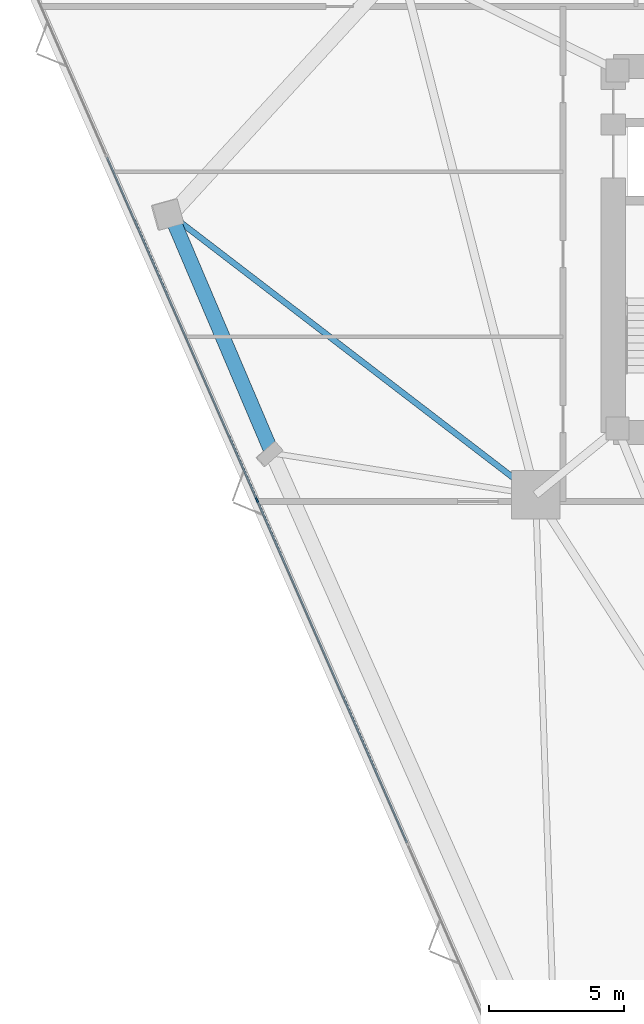
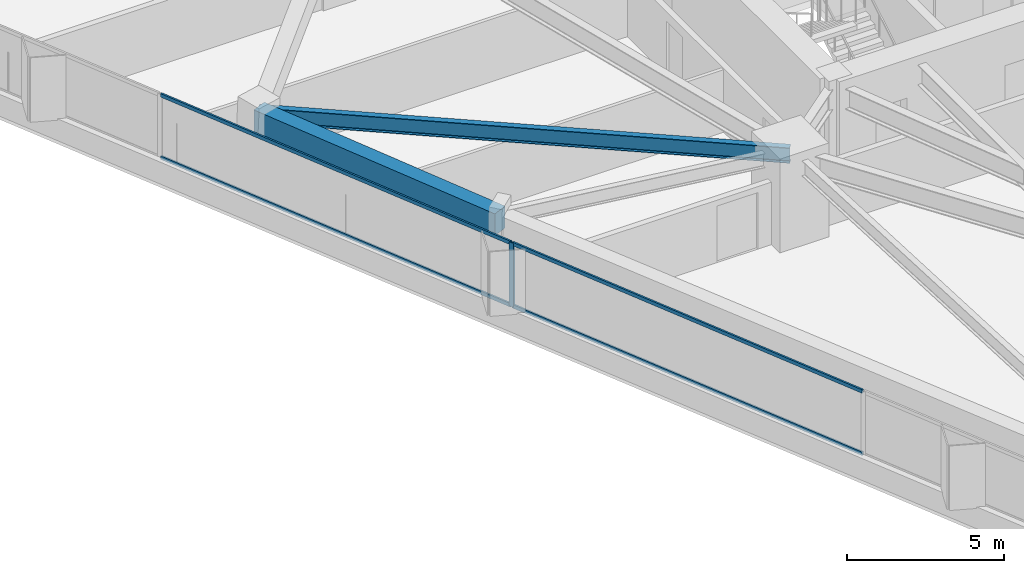
# One storey, part 6 of 20: 5 members, 2 beams, 1 element without a shape of its own.
"""IFC4 building model written with IfcOpenShell, lengths in metres."""

from ifc_helpers import new_model, si_unit, direction, frame, origin, origin_2d, place, context, subcontext, project, spatial, rectangle, i_section, extrude, material, layer, layer_set, material_profile, profile_set, type_object, element, aggregate, save


model = new_model("IFC4")

# Units and contexts
model_context = context("Model", 3, precision=1e-05, world=origin(), true_north=direction((0.0, 1.0)))
body_context = subcontext(model_context, "Body", "Model", "MODEL_VIEW")
ifc_project = project(units=[si_unit("LENGTHUNIT", "METRE"), si_unit("AREAUNIT", "SQUARE_METRE"), si_unit("VOLUMEUNIT", "CUBIC_METRE"), si_unit("PLANEANGLEUNIT", "RADIAN"), si_unit("MASSUNIT", "GRAM", prefix="KILO")], contexts=[model_context])

# Site, building, storey
site_placement = place(None, origin())
site = spatial("IfcSite", under=ifc_project, at=site_placement, CompositionType="ELEMENT")
building_placement = place(site_placement, origin())
building = spatial("IfcBuilding", under=site, at=building_placement, Name="Talyreon Biosciences Tower", CompositionType="ELEMENT")
storey_placement = place(building_placement, frame((0.0, 0.0, 62.949951171875)))
storey = spatial("IfcBuildingStorey", under=building, at=storey_placement, Name="L16", CompositionType="ELEMENT", Elevation=62.949951171875)

# Curtain wall, members
ifc_material_1 = material(Name="Thermally broken aluminium and low-E glazing", Category="aluminium")
ifc_layer = layer(ifc_material_1, 0.195068359375)
ifc_layer_set = layer_set([ifc_layer], Name="Thermally broken aluminium and low-E glazing")
curtain_wall_type = type_object("IfcCurtainWallType", Name="CurtainWall_Zone1WetLab", PredefinedType="NOTDEFINED", material=ifc_layer_set)
curtain_wall_placement = place(storey_placement, origin())
curtain_wall = element("IfcCurtainWall", 1, at=curtain_wall_placement, inside=storey, type_object=curtain_wall_type, Name="L16 Unitised Curtain Wall FCW-L16-00", PredefinedType="NOTDEFINED")
ifc_material_2 = material(Name="Anodised thermally broken aluminium", Category="aluminium")
ifc_material_profile_1 = material_profile(ifc_material_2, rectangle(XDim=0.06494140625, YDim=0.179931640625, at=origin_2d()), Name="ALUM MULLION 65x180")
ifc_profile_set_1 = profile_set([ifc_material_profile_1], Name="Anodised thermally broken aluminium")
member_type_1 = type_object("IfcMemberType", Name="CWMullion_65x180", PredefinedType="MULLION", material=ifc_profile_set_1)
member_1_placement = place(storey_placement, frame((44.560302734375, 58.689453125, 0.81005859375), z_axis=(0.0, 0.0, 1.0), x_axis=(-0.916092182361, -0.400967721165, 0.0)))
member_1 = element("IfcMember", 2, at=member_1_placement, type_object=member_type_1, Name="CW2 mullion 4", PredefinedType="MULLION", context=body_context, shape_type="SweptSolid", body=[
    extrude(rectangle(XDim=0.06494140625, YDim=0.179931640625, at=origin_2d()), origin(), (0.0, 0.0, 1.0), 2.489990234375),
])
ifc_material_profile_2 = material_profile(ifc_material_2, rectangle(XDim=0.06494140625, YDim=0.139892578125, at=origin_2d()), Name="ALUM TRANSOM 65x140")
ifc_profile_set_2 = profile_set([ifc_material_profile_2], Name="Anodised thermally broken aluminium")
member_type_2 = type_object("IfcMemberType", Name="CWTransom_65x140", PredefinedType="USERDEFINED", material=ifc_profile_set_2)
member_2_placement = place(storey_placement, frame((50.13037109375, 45.963623046875, 0.842529296875), z_axis=(-0.400962068949, 0.916094656279, 0.0), x_axis=(-0.916094656279, -0.400962068949, 0.0)))
member_2 = element("IfcMember", 3, at=member_2_placement, type_object=member_type_2, Name="CW2 transom 3.1", ObjectType="TRANSOM", PredefinedType="USERDEFINED", context=body_context, shape_type="SweptSolid", body=[
    extrude(rectangle(XDim=0.06494140625, YDim=0.139892578125, at=origin_2d()), origin(), (0.0, 0.0, 1.0), 13.85888671875),
])
member_3_placement = place(storey_placement, frame((50.13037109375, 45.963623046875, 3.267578125), z_axis=(-0.400962068949, 0.916094656279, 0.0), x_axis=(-0.916094656279, -0.400962068949, 0.0)))
member_3 = element("IfcMember", 4, at=member_3_placement, type_object=member_type_2, Name="CW2 transom 3.2", ObjectType="TRANSOM", PredefinedType="USERDEFINED", context=body_context, shape_type="SweptSolid", body=[
    extrude(rectangle(XDim=0.06494140625, YDim=0.139892578125, at=origin_2d()), origin(), (0.0, 0.0, 1.0), 13.85888671875),
])
member_4_placement = place(storey_placement, frame((44.54736328125, 58.71923828125, 0.842529296875), z_axis=(-0.400970381999, 0.916091017727, 0.0), x_axis=(-0.916091017727, -0.400970381999, 0.0)))
member_4 = element("IfcMember", 5, at=member_4_placement, type_object=member_type_2, Name="CW2 transom 4.1", ObjectType="TRANSOM", PredefinedType="USERDEFINED", context=body_context, shape_type="SweptSolid", body=[
    extrude(rectangle(XDim=0.06494140625, YDim=0.139892578125, at=origin_2d()), origin(), (0.0, 0.0, 1.0), 13.859130859375),
])
member_5_placement = place(storey_placement, frame((44.54736328125, 58.71923828125, 3.267578125), z_axis=(-0.400970381999, 0.916091017727, 0.0), x_axis=(-0.916091017727, -0.400970381999, 0.0)))
member_5 = element("IfcMember", 6, at=member_5_placement, type_object=member_type_2, Name="CW2 transom 4.2", ObjectType="TRANSOM", PredefinedType="USERDEFINED", context=body_context, shape_type="SweptSolid", body=[
    extrude(rectangle(XDim=0.06494140625, YDim=0.139892578125, at=origin_2d()), origin(), (0.0, 0.0, 1.0), 13.859130859375),
])
aggregate(curtain_wall, [member_1, member_2, member_3, member_4, member_5])

# Beams
ifc_material_3 = material(Name="Precast concrete C45/55", Category="concrete")
ifc_material_profile_3 = material_profile(ifc_material_3, rectangle(XDim=0.550048828125, YDim=0.85009765625, at=origin_2d()), Name="RCB 550x850")
ifc_profile_set_3 = profile_set([ifc_material_profile_3], Name="Precast concrete C45/55")
beam_type_1 = type_object("IfcBeamType", Name="ExpressedSpandrel_550x850", PredefinedType="SPANDREL", material=ifc_profile_set_3)
beam_1_placement = place(storey_placement, frame((41.360595703125, 69.281494140625, 2.875), z_axis=(0.391322850663, -0.920253457776, 0.0), x_axis=(0.920253457776, 0.391322850663, 0.0)))
element("IfcBeam", 7, at=beam_1_placement, inside=storey, type_object=beam_type_1, Name="L16 Expressed Horizontal Concrete Spandrel 10", PredefinedType="SPANDREL", context=body_context, shape_type="SweptSolid", body=[
    extrude(rectangle(XDim=0.550048828125, YDim=0.85009765625, at=origin_2d()), origin(), (0.0, 0.0, 1.0), 9.617919921875),
])
ifc_material_4 = material(Name="Steel SM355", Category="steel")
ifc_material_profile_4 = material_profile(ifc_material_4, i_section(OverallWidth=0.219970703125, OverallDepth=0.60009765625, WebThickness=0.011962890625, FlangeThickness=0.01904296875, FilletRadius=0.02392578125, at=origin_2d()), Name="IPE600")
ifc_profile_set_4 = profile_set([ifc_material_profile_4], Name="Steel SM355")
beam_type_2 = type_object("IfcBeamType", Name="SteelJoist_IPE600", PredefinedType="JOIST", material=ifc_profile_set_4)
beam_2_placement = place(storey_placement, frame((54.913818359375, 58.88037109375, 3.0), z_axis=(-0.793314622927, 0.608811883138, 0.0), x_axis=(-0.608811883138, -0.793314622927, 0.0)))
element("IfcBeam", 8, at=beam_2_placement, inside=storey, type_object=beam_type_2, Name="L16 Radial Composite Floor Joist PC-SW1", PredefinedType="JOIST", context=body_context, shape_type="SweptSolid", body=[
    extrude(i_section(OverallWidth=0.219970703125, OverallDepth=0.60009765625, WebThickness=0.011962890625, FlangeThickness=0.01904296875, FilletRadius=0.02392578125, at=origin_2d()), origin(), (0.0, 0.0, 1.0), 17.084228515625),
])

save(model, "model.ifc")
